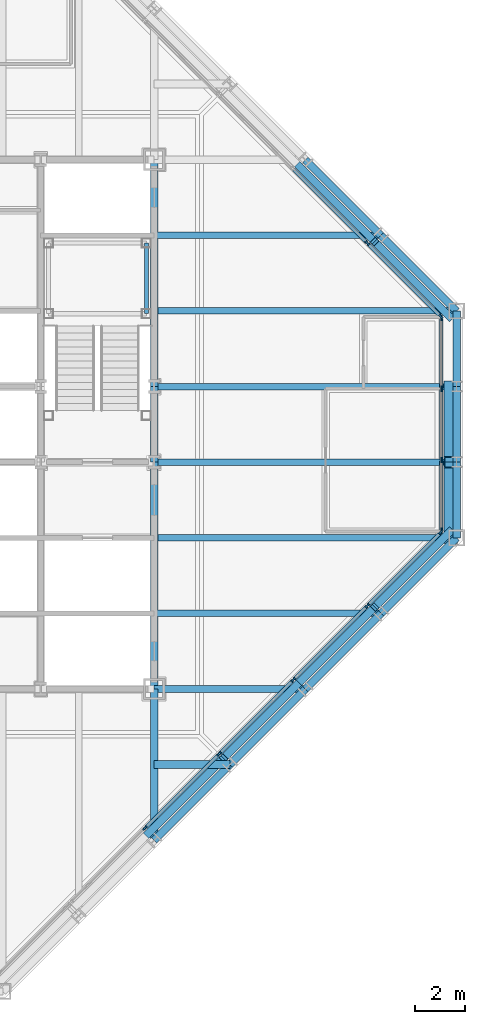
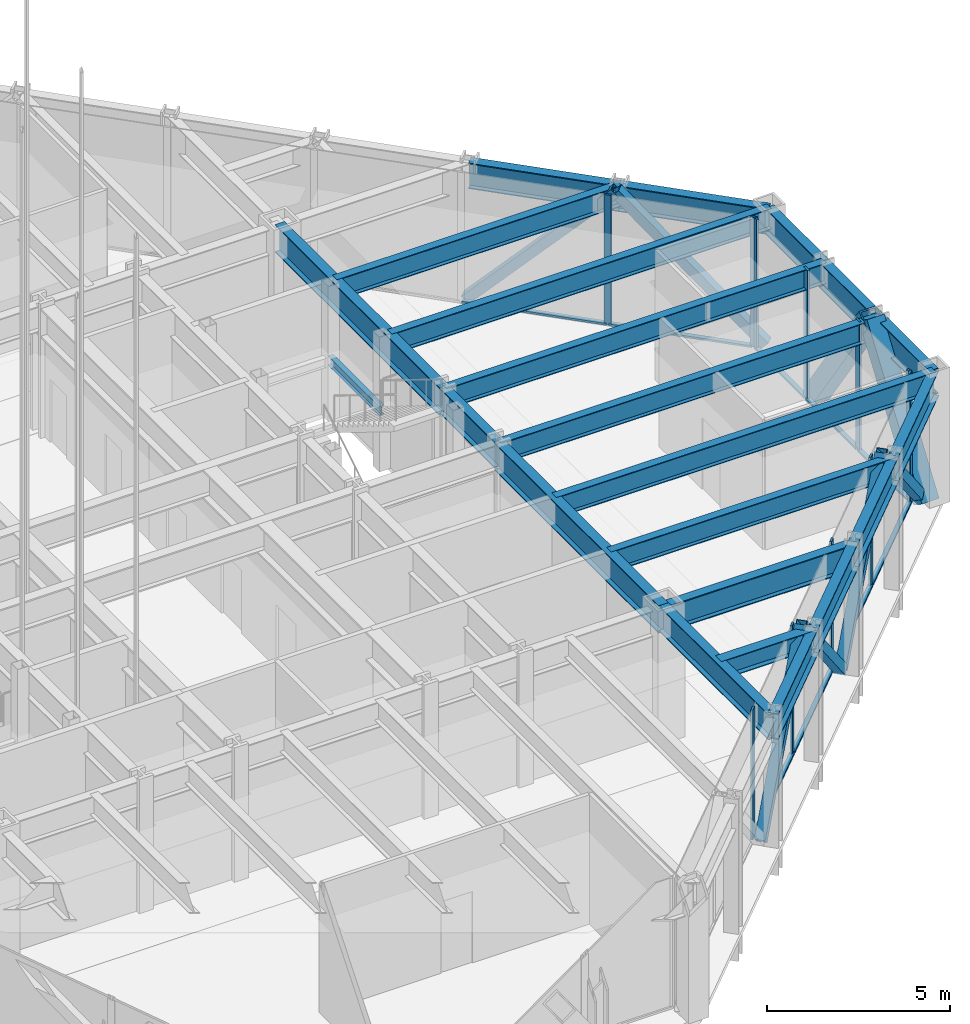
# One storey, part 7 of 24: 28 members, 22 beams, 3 elements without a shape of their own.
"""IFC4 building model written with IfcOpenShell, lengths in metres."""

from ifc_helpers import new_model, si_unit, direction, frame, origin, origin_2d, place, context, subcontext, project, spatial, rectangle, hollow_rectangle, i_section, extrude, material, layer, layer_set, material_profile, profile_set, type_object, element, aggregate, save


model = new_model("IFC4")

# Units and contexts
model_context = context("Model", 3, precision=1e-05, world=origin(), true_north=direction((0.0, 1.0)))
body_context = subcontext(model_context, "Body", "Model", "MODEL_VIEW")
ifc_project = project(units=[si_unit("LENGTHUNIT", "METRE"), si_unit("AREAUNIT", "SQUARE_METRE"), si_unit("VOLUMEUNIT", "CUBIC_METRE"), si_unit("PLANEANGLEUNIT", "RADIAN"), si_unit("MASSUNIT", "GRAM", prefix="KILO")], contexts=[model_context])

# Site, building, storey
site_placement = place(None, origin())
site = spatial("IfcSite", under=ifc_project, at=site_placement, CompositionType="ELEMENT")
building_placement = place(site_placement, origin())
building = spatial("IfcBuilding", under=site, at=building_placement, Name="Chuquiago Exchange Tower", CompositionType="ELEMENT")
storey_placement = place(building_placement, frame((0.0, 0.0, 257.699951171875)))
storey = spatial("IfcBuildingStorey", under=building, at=storey_placement, Name="L57", CompositionType="ELEMENT", Elevation=257.699951171875)

# Beams
ifc_material_1 = material(Name="Steel ASTM A992", Category="steel")
ifc_material_profile_1 = material_profile(ifc_material_1, i_section(OverallWidth=0.307373046875, OverallDepth=0.927001953125, WebThickness=0.01953125, FlangeThickness=0.031982421875, at=origin_2d()), Name="W36X194")
ifc_profile_set_1 = profile_set([ifc_material_profile_1], Name="Steel ASTM A992")
beam_type_1 = type_object("IfcBeamType", Name="B10 W36X194", PredefinedType="BEAM", material=ifc_profile_set_1)
for number, where, z_axis, x_axis, name in (
    (1, (33.0, 12.0, 3.87646484375), (0.0, 1.0, 0.0), (-1.0, 0.0, 0.0), "CB-L58-33_12-33_21"),
    (2, (33.0, 24.0, 3.87646484375), (0.0, 1.0, 0.0), (-1.0, 0.0, 0.0), "CB-L58-33_24-33_33"),
):
    element("IfcBeam", number, at=place(storey_placement, frame(where, z_axis=z_axis, x_axis=x_axis)), inside=storey, type_object=beam_type_1, Name=name, PredefinedType="BEAM", context=body_context, shape_type="SweptSolid", body=[
        extrude(i_section(OverallWidth=0.307373046875, OverallDepth=0.927001953125, WebThickness=0.01953125, FlangeThickness=0.031982421875, at=origin_2d()), origin(), (0.0, 0.0, 1.0), 9.0),
    ])
ifc_material_2 = material(Name="Steel ASTM A992", Category="steel")
ifc_material_profile_2 = material_profile(ifc_material_2, i_section(OverallWidth=0.2919921875, OverallDepth=0.8583984375, WebThickness=0.01708984375, FlangeThickness=0.031005859375, at=origin_2d()), Name="W33X169")
ifc_profile_set_2 = profile_set([ifc_material_profile_2], Name="Steel ASTM A992")
beam_type_2 = type_object("IfcBeamType", Name="B3 W33X169", PredefinedType="BEAM", material=ifc_profile_set_2)
beam_1_placement = place(storey_placement, frame((33.0, 21.0, 3.91064453125), z_axis=(0.0, 1.0, 0.0), x_axis=(-1.0, 0.0, 0.0)))
element("IfcBeam", 3, at=beam_1_placement, inside=storey, type_object=beam_type_2, Name="CB-L58-33_21-33_24", PredefinedType="BEAM", context=body_context, shape_type="SweptSolid", body=[
    extrude(i_section(OverallWidth=0.2919921875, OverallDepth=0.8583984375, WebThickness=0.01708984375, FlangeThickness=0.031005859375, at=origin_2d()), origin(), (0.0, 0.0, 1.0), 3.0),
])
ifc_material_3 = material(Name="Steel ASTM A992", Category="steel")
ifc_material_profile_3 = material_profile(ifc_material_3, i_section(OverallWidth=0.256591796875, OverallDepth=0.693359375, WebThickness=0.014404296875, FlangeThickness=0.023681640625, at=origin_2d()), Name="W27X114")
ifc_profile_set_3 = profile_set([ifc_material_profile_3], Name="Steel ASTM A992")
beam_type_3 = type_object("IfcBeamType", Name="B4 W27X114", PredefinedType="BEAM", material=ifc_profile_set_3)
beam_2_placement = place(storey_placement, frame((33.0, 15.0, 3.993408203125), z_axis=(1.0, 0.0, 0.0), x_axis=(0.0, 1.0, 0.0)))
element("IfcBeam", 4, at=beam_2_placement, inside=storey, type_object=beam_type_3, Name="FB-L58-infill-33_15-42_15-0", PredefinedType="BEAM", context=body_context, shape_type="SweptSolid", body=[
    extrude(i_section(OverallWidth=0.256591796875, OverallDepth=0.693359375, WebThickness=0.014404296875, FlangeThickness=0.023681640625, at=origin_2d()), origin(), (0.0, 0.0, 1.0), 9.0),
])
for number, where, z_axis, x_axis, name in (
    (5, (33.0, 18.0, 3.993408203125), (1.0, 0.0, 0.0), (0.0, 1.0, 0.0), "FB-L58-infill-33_18-45_18-0"),
    (6, (33.0, 21.0, 3.993408203125), (1.0, 0.0, 0.0), (0.0, 1.0, 0.0), "FB-L58-infill-33_21-45_21-0"),
    (7, (33.0, 24.0, 3.993408203125), (1.0, 0.0, 0.0), (0.0, 1.0, 0.0), "FB-L58-infill-33_24-45_24-0"),
    (8, (33.0, 27.0, 3.993408203125), (1.0, 0.0, 0.0), (0.0, 1.0, 0.0), "FB-L58-infill-33_27-45_27-0"),
):
    element("IfcBeam", number, at=place(storey_placement, frame(where, z_axis=z_axis, x_axis=x_axis)), inside=storey, type_object=beam_type_3, Name=name, PredefinedType="BEAM", context=body_context, shape_type="SweptSolid", body=[
        extrude(i_section(OverallWidth=0.256591796875, OverallDepth=0.693359375, WebThickness=0.014404296875, FlangeThickness=0.023681640625, at=origin_2d()), origin(), (0.0, 0.0, 1.0), 12.0),
    ])
beam_3_placement = place(storey_placement, frame((33.0, 30.0, 3.993408203125), z_axis=(1.0, 0.0, 0.0), x_axis=(0.0, 1.0, 0.0)))
element("IfcBeam", 9, at=beam_3_placement, inside=storey, type_object=beam_type_3, Name="FB-L58-infill-33_30-42_30-0", PredefinedType="BEAM", context=body_context, shape_type="SweptSolid", body=[
    extrude(i_section(OverallWidth=0.256591796875, OverallDepth=0.693359375, WebThickness=0.014404296875, FlangeThickness=0.023681640625, at=origin_2d()), origin(), (0.0, 0.0, 1.0), 9.0),
])
ifc_material_4 = material(Name="Steel ASTM A992", Category="steel")
ifc_material_profile_4 = material_profile(ifc_material_4, i_section(OverallWidth=0.3251953125, OverallDepth=0.6171875, WebThickness=0.013916015625, FlangeThickness=0.021484375, at=origin_2d()), Name="W24X117")
ifc_profile_set_4 = profile_set([ifc_material_profile_4], Name="Steel ASTM A992")
beam_type_4 = type_object("IfcBeamType", Name="B5 W24X117", PredefinedType="BEAM", material=ifc_profile_set_4)
beam_4_placement = place(storey_placement, frame((33.0, 9.0, 4.031494140625), z_axis=(1.0, 0.0, 0.0), x_axis=(0.0, 1.0, 0.0)))
element("IfcBeam", 10, at=beam_4_placement, inside=storey, type_object=beam_type_4, Name="FB-L58-corner-33_9-36_9-0", PredefinedType="BEAM", context=body_context, shape_type="SweptSolid", body=[
    extrude(i_section(OverallWidth=0.3251953125, OverallDepth=0.6171875, WebThickness=0.013916015625, FlangeThickness=0.021484375, at=origin_2d()), origin(), (0.0, 0.0, 1.0), 3.0),
])

# Curtain wall, members
ifc_material_5 = material(Name="Aluminium curtain wall system", Category="aluminium")
ifc_layer_1 = layer(ifc_material_5, 0.22509765625)
ifc_layer_set_1 = layer_set([ifc_layer_1], Name="CW2 office curtain wall")
curtain_wall_type_1 = type_object("IfcCurtainWallType", Name="CW2 office curtain wall", PredefinedType="NOTDEFINED", material=ifc_layer_set_1)
curtain_wall_1_placement = place(storey_placement, origin())
curtain_wall_1 = element("IfcCurtainWall", 11, at=curtain_wall_1_placement, inside=storey, type_object=curtain_wall_type_1, Name="CW2 curtain wall L57", PredefinedType="NOTDEFINED")
ifc_material_6 = material(Name="Aluminium mullion, pale anodised", Category="aluminium")
ifc_material_profile_5 = material_profile(ifc_material_6, rectangle(XDim=0.06494140625, YDim=0.22509765625, at=origin_2d()), Name="AL 65x225")
ifc_profile_set_5 = profile_set([ifc_material_profile_5], Name="Aluminium mullion, pale anodised")
member_type_1 = type_object("IfcMemberType", Name="CW2-M mullion 65x225", PredefinedType="MULLION", material=ifc_profile_set_5)
member_1_placement = place(storey_placement, frame((44.39990234375, 18.281005859375, 0.0), z_axis=(0.0, 0.0, 1.0), x_axis=(-1.0, 0.0, 0.0)))
member_1 = element("IfcMember", 12, at=member_1_placement, type_object=member_type_1, Name="CW2 mullion 1", PredefinedType="MULLION", context=body_context, shape_type="SweptSolid", body=[
    extrude(rectangle(XDim=0.06494140625, YDim=0.22509765625, at=origin_2d()), origin(), (0.0, 0.0, 1.0), 4.340087890625),
])
member_2_placement = place(storey_placement, frame((44.39990234375, 21.082763671875, 0.0), z_axis=(0.0, 0.0, 1.0), x_axis=(-1.0, 0.0, 0.0)))
member_2 = element("IfcMember", 13, at=member_2_placement, type_object=member_type_1, Name="CW2 mullion 2", PredefinedType="MULLION", context=body_context, shape_type="SweptSolid", body=[
    extrude(rectangle(XDim=0.06494140625, YDim=0.22509765625, at=origin_2d()), origin(), (0.0, 0.0, 1.0), 4.340087890625),
])
member_3_placement = place(storey_placement, frame((44.39990234375, 23.917236328125, 0.0), z_axis=(0.0, 0.0, 1.0), x_axis=(-1.0, 0.0, 0.0)))
member_3 = element("IfcMember", 14, at=member_3_placement, type_object=member_type_1, Name="CW2 mullion 3", PredefinedType="MULLION", context=body_context, shape_type="SweptSolid", body=[
    extrude(rectangle(XDim=0.06494140625, YDim=0.22509765625, at=origin_2d()), origin(), (0.0, 0.0, 1.0), 4.340087890625),
])
member_4_placement = place(storey_placement, frame((44.39990234375, 26.718994140625, 0.0), z_axis=(0.0, 0.0, 1.0), x_axis=(-1.0, 0.0, 0.0)))
member_4 = element("IfcMember", 15, at=member_4_placement, type_object=member_type_1, Name="CW2 mullion 4", PredefinedType="MULLION", context=body_context, shape_type="SweptSolid", body=[
    extrude(rectangle(XDim=0.06494140625, YDim=0.22509765625, at=origin_2d()), origin(), (0.0, 0.0, 1.0), 4.340087890625),
])
ifc_material_7 = material(Name="Aluminium transom, pale anodised", Category="aluminium")
ifc_material_profile_6 = material_profile(ifc_material_7, rectangle(XDim=0.139892578125, YDim=0.06494140625, at=origin_2d()), Name="AL 140x65")
ifc_profile_set_6 = profile_set([ifc_material_profile_6], Name="Aluminium transom, pale anodised")
member_type_2 = type_object("IfcMemberType", Name="CW2-T transom 65x140", PredefinedType="MULLION", material=ifc_profile_set_6)
member_5_placement = place(storey_placement, frame((44.39990234375, 18.3134765625, 0.032470703125), z_axis=(0.0, 1.0, 0.0), x_axis=(-1.0, 0.0, 0.0)))
member_5 = element("IfcMember", 16, at=member_5_placement, type_object=member_type_2, Name="CW2 transom 1.1", PredefinedType="MULLION", context=body_context, shape_type="SweptSolid", body=[
    extrude(rectangle(XDim=0.139892578125, YDim=0.06494140625, at=origin_2d()), origin(), (0.0, 0.0, 1.0), 2.73681640625),
])
member_6_placement = place(storey_placement, frame((44.39990234375, 21.115234375, 0.032470703125), z_axis=(0.0, 1.0, 0.0), x_axis=(-1.0, 0.0, 0.0)))
member_6 = element("IfcMember", 17, at=member_6_placement, type_object=member_type_2, Name="CW2 transom 2.1", PredefinedType="MULLION", context=body_context, shape_type="SweptSolid", body=[
    extrude(rectangle(XDim=0.139892578125, YDim=0.06494140625, at=origin_2d()), origin(), (0.0, 0.0, 1.0), 2.76953125),
])
member_7_placement = place(storey_placement, frame((44.39990234375, 23.94970703125, 0.032470703125), z_axis=(0.0, 1.0, 0.0), x_axis=(-1.0, 0.0, 0.0)))
member_7 = element("IfcMember", 18, at=member_7_placement, type_object=member_type_2, Name="CW2 transom 3.1", PredefinedType="MULLION", context=body_context, shape_type="SweptSolid", body=[
    extrude(rectangle(XDim=0.139892578125, YDim=0.06494140625, at=origin_2d()), origin(), (0.0, 0.0, 1.0), 2.73681640625),
])
aggregate(curtain_wall_1, [member_1, member_2, member_3, member_4, member_5, member_6, member_7])

ifc_material_8 = material(Name="Aluminium curtain wall system", Category="aluminium")
ifc_layer_2 = layer(ifc_material_8, 0.199951171875)
ifc_layer_set_2 = layer_set([ifc_layer_2], Name="CW3 facet curtain wall")
curtain_wall_type_2 = type_object("IfcCurtainWallType", Name="CW3 facet curtain wall", PredefinedType="NOTDEFINED", material=ifc_layer_set_2)
curtain_wall_2_placement = place(storey_placement, origin())
curtain_wall_2 = element("IfcCurtainWall", 19, at=curtain_wall_2_placement, inside=storey, type_object=curtain_wall_type_2, Name="CW3 curtain wall L57", PredefinedType="NOTDEFINED")
ifc_material_9 = material(Name="Aluminium mullion, pale anodised", Category="aluminium")
ifc_material_profile_7 = material_profile(ifc_material_9, rectangle(XDim=0.06494140625, YDim=0.199951171875, at=origin_2d()), Name="AL 65x200")
ifc_profile_set_7 = profile_set([ifc_material_profile_7], Name="Aluminium mullion, pale anodised")
member_type_3 = type_object("IfcMemberType", Name="CW3-M mullion 65x200", PredefinedType="MULLION", material=ifc_profile_set_7)
member_8_placement = place(storey_placement, frame((32.63427734375, 6.48291015625, 0.0), z_axis=(0.0, 0.0, 1.0), x_axis=(-0.707106781187, 0.707106781187, 0.0)))
member_8 = element("IfcMember", 20, at=member_8_placement, type_object=member_type_3, Name="CW3 mullion 3", PredefinedType="MULLION", context=body_context, shape_type="SweptSolid", body=[
    extrude(rectangle(XDim=0.06494140625, YDim=0.199951171875, at=origin_2d()), origin(), (0.0, 0.0, 1.0), 4.340087890625),
])
member_9_placement = place(storey_placement, frame((35.57568359375, 9.42431640625, 0.0), z_axis=(0.0, 0.0, 1.0), x_axis=(-0.707106781187, 0.707106781187, 0.0)))
member_9 = element("IfcMember", 21, at=member_9_placement, type_object=member_type_3, Name="CW3 mullion 4", PredefinedType="MULLION", context=body_context, shape_type="SweptSolid", body=[
    extrude(rectangle(XDim=0.06494140625, YDim=0.199951171875, at=origin_2d()), origin(), (0.0, 0.0, 1.0), 4.340087890625),
])
member_10_placement = place(storey_placement, frame((38.51708984375, 12.36572265625, 0.0), z_axis=(0.0, 0.0, 1.0), x_axis=(-0.707106781187, 0.707106781187, 0.0)))
member_10 = element("IfcMember", 22, at=member_10_placement, type_object=member_type_3, Name="CW3 mullion 5", PredefinedType="MULLION", context=body_context, shape_type="SweptSolid", body=[
    extrude(rectangle(XDim=0.06494140625, YDim=0.199951171875, at=origin_2d()), origin(), (0.0, 0.0, 1.0), 4.340087890625),
])
member_11_placement = place(storey_placement, frame((41.45849609375, 15.30712890625, 0.0), z_axis=(0.0, 0.0, 1.0), x_axis=(-0.707106781187, 0.707106781187, 0.0)))
member_11 = element("IfcMember", 23, at=member_11_placement, type_object=member_type_3, Name="CW3 mullion 6", PredefinedType="MULLION", context=body_context, shape_type="SweptSolid", body=[
    extrude(rectangle(XDim=0.06494140625, YDim=0.199951171875, at=origin_2d()), origin(), (0.0, 0.0, 1.0), 4.340087890625),
])
member_12_placement = place(storey_placement, frame((44.376953125, 18.2255859375, 0.0), z_axis=(0.0, 0.0, 1.0), x_axis=(-0.707106781187, 0.707106781187, 0.0)))
member_12 = element("IfcMember", 24, at=member_12_placement, type_object=member_type_3, Name="CW3 mullion 7", PredefinedType="MULLION", context=body_context, shape_type="SweptSolid", body=[
    extrude(rectangle(XDim=0.06494140625, YDim=0.199951171875, at=origin_2d()), origin(), (0.0, 0.0, 1.0), 4.340087890625),
])

curtain_wall_3_placement = place(storey_placement, origin())
curtain_wall_3 = element("IfcCurtainWall", 25, at=curtain_wall_3_placement, inside=storey, type_object=curtain_wall_type_2, Name="CW3 curtain wall L57", PredefinedType="NOTDEFINED")
member_13_placement = place(storey_placement, frame((44.376953125, 26.7744140625, 0.0), z_axis=(0.0, 0.0, 1.0), x_axis=(-0.707106781187, -0.707106781187, 0.0)))
member_13 = element("IfcMember", 26, at=member_13_placement, type_object=member_type_3, Name="CW3 mullion 1", PredefinedType="MULLION", context=body_context, shape_type="SweptSolid", body=[
    extrude(rectangle(XDim=0.06494140625, YDim=0.199951171875, at=origin_2d()), origin(), (0.0, 0.0, 1.0), 4.340087890625),
])
member_14_placement = place(storey_placement, frame((41.45849609375, 29.69287109375, 0.0), z_axis=(0.0, 0.0, 1.0), x_axis=(-0.707106781187, -0.707106781187, 0.0)))
member_14 = element("IfcMember", 27, at=member_14_placement, type_object=member_type_3, Name="CW3 mullion 2", PredefinedType="MULLION", context=body_context, shape_type="SweptSolid", body=[
    extrude(rectangle(XDim=0.06494140625, YDim=0.199951171875, at=origin_2d()), origin(), (0.0, 0.0, 1.0), 4.340087890625),
])

# Member
ifc_material_10 = material(Name="Aluminium transom, pale anodised", Category="aluminium")
ifc_material_profile_8 = material_profile(ifc_material_10, rectangle(XDim=0.139892578125, YDim=0.06494140625, at=origin_2d()), Name="AL 140x65")
ifc_profile_set_8 = profile_set([ifc_material_profile_8], Name="Aluminium transom, pale anodised")
member_type_4 = type_object("IfcMemberType", Name="CW3-T transom 65x140", PredefinedType="MULLION", material=ifc_profile_set_8)
member_15_placement = place(storey_placement, frame((32.6572265625, 6.505859375, 0.032470703125), z_axis=(0.707106781187, 0.707106781187, 0.0), x_axis=(-0.707106781187, 0.707106781187, 0.0)))
member_15 = element("IfcMember", 28, at=member_15_placement, type_object=member_type_4, Name="CW3 transom 3.1", PredefinedType="MULLION", context=body_context, shape_type="SweptSolid", body=[
    extrude(rectangle(XDim=0.139892578125, YDim=0.06494140625, at=origin_2d()), origin(), (0.0, 0.0, 1.0), 4.094970703125),
])

member_16_placement = place(storey_placement, frame((35.5986328125, 9.447265625, 0.032470703125), z_axis=(0.707106781187, 0.707106781187, 0.0), x_axis=(-0.707106781187, 0.707106781187, 0.0)))
member_16 = element("IfcMember", 29, at=member_16_placement, type_object=member_type_4, Name="CW3 transom 4.1", PredefinedType="MULLION", context=body_context, shape_type="SweptSolid", body=[
    extrude(rectangle(XDim=0.139892578125, YDim=0.06494140625, at=origin_2d()), origin(), (0.0, 0.0, 1.0), 4.094970703125),
])

member_17_placement = place(storey_placement, frame((38.5400390625, 12.388671875, 0.032470703125), z_axis=(0.707106781187, 0.707106781187, 0.0), x_axis=(-0.707106781187, 0.707106781187, 0.0)))
member_17 = element("IfcMember", 30, at=member_17_placement, type_object=member_type_4, Name="CW3 transom 5.1", PredefinedType="MULLION", context=body_context, shape_type="SweptSolid", body=[
    extrude(rectangle(XDim=0.139892578125, YDim=0.06494140625, at=origin_2d()), origin(), (0.0, 0.0, 1.0), 4.094970703125),
])

member_18_placement = place(storey_placement, frame((41.4814453125, 15.330078125, 0.032470703125), z_axis=(0.707106781187, 0.707106781187, 0.0), x_axis=(-0.707106781187, 0.707106781187, 0.0)))
member_18 = element("IfcMember", 31, at=member_18_placement, type_object=member_type_4, Name="CW3 transom 6.1", PredefinedType="MULLION", context=body_context, shape_type="SweptSolid", body=[
    extrude(rectangle(XDim=0.139892578125, YDim=0.06494140625, at=origin_2d()), origin(), (0.0, 0.0, 1.0), 4.0625),
])

aggregate(curtain_wall_2, [member_8, member_9, member_10, member_11, member_12, member_15, member_16, member_17, member_18])

member_19_placement = place(storey_placement, frame((44.35400390625, 26.79736328125, 0.032470703125), z_axis=(-0.707106781187, 0.707106781187, 0.0), x_axis=(-0.707106781187, -0.707106781187, 0.0)))
member_19 = element("IfcMember", 32, at=member_19_placement, type_object=member_type_4, Name="CW3 transom 1.1", PredefinedType="MULLION", context=body_context, shape_type="SweptSolid", body=[
    extrude(rectangle(XDim=0.139892578125, YDim=0.06494140625, at=origin_2d()), origin(), (0.0, 0.0, 1.0), 4.0625),
])

member_20_placement = place(storey_placement, frame((41.435546875, 29.7158203125, 0.032470703125), z_axis=(-0.707106781187, 0.707106781187, 0.0), x_axis=(-0.707106781187, -0.707106781187, 0.0)))
member_20 = element("IfcMember", 33, at=member_20_placement, type_object=member_type_4, Name="CW3 transom 2.1", PredefinedType="MULLION", context=body_context, shape_type="SweptSolid", body=[
    extrude(rectangle(XDim=0.139892578125, YDim=0.06494140625, at=origin_2d()), origin(), (0.0, 0.0, 1.0), 4.094970703125),
])

aggregate(curtain_wall_3, [member_13, member_14, member_19, member_20])

# Beams
ifc_material_11 = material(Name="Steel ASTM A992", Category="steel")
ifc_material_profile_9 = material_profile(ifc_material_11, i_section(OverallWidth=0.2919921875, OverallDepth=0.8583984375, WebThickness=0.01708984375, FlangeThickness=0.031005859375, at=origin_2d()), Name="W33X169")
ifc_profile_set_9 = profile_set([ifc_material_profile_9], Name="Steel ASTM A992")
beam_type_5 = type_object("IfcBeamType", Name="G2 W33X169", PredefinedType="BEAM", material=ifc_profile_set_9)
for number, where, z_axis, x_axis, name in (
    (34, (33.0, 12.0, 3.91064453125), (0.0, -1.0, 0.0), (1.0, 0.0, 0.0), "FB-L58-girder-33_12-33_6-0"),
    (35, (33.0, 12.0, 3.91064453125), (1.0, 0.0, 0.0), (0.0, 1.0, 0.0), "FB-L58-girder-33_12-39_12-0"),
):
    element("IfcBeam", number, at=place(storey_placement, frame(where, z_axis=z_axis, x_axis=x_axis)), inside=storey, type_object=beam_type_5, Name=name, PredefinedType="BEAM", context=body_context, shape_type="SweptSolid", body=[
        extrude(i_section(OverallWidth=0.2919921875, OverallDepth=0.8583984375, WebThickness=0.01708984375, FlangeThickness=0.031005859375, at=origin_2d()), origin(), (0.0, 0.0, 1.0), 6.0),
    ])

# Members
ifc_material_12 = material(Name="Steel ASTM A500 Grade C", Category="steel")
ifc_material_profile_10 = material_profile(ifc_material_12, hollow_rectangle(XDim=0.3046875, YDim=0.3046875, WallThickness=0.0146484375, at=origin_2d()), Name="HSS12X12X5/8")
ifc_profile_set_10 = profile_set([ifc_material_profile_10], Name="Steel ASTM A500 Grade C")
member_type_5 = type_object("IfcMemberType", Name="LB3 HSS12X12X5/8", PredefinedType="BRACE", material=ifc_profile_set_10)
for number, where, z_axis, x_axis, name in (
    (36, (32.750732421875, 6.249267578125, 0.0), (0.494291205278, 0.494291205278, 0.715089091491), (-0.707106781187, 0.707106781187, 0.0), "LB-L57-33_6-36_9"),
    (37, (38.750732421875, 12.249267578125, 0.0), (-0.494291205278, -0.494291205278, 0.715089091491), (0.707106781187, -0.707106781187, 0.0), "LB-L57-36_9-39_12"),
    (38, (38.750732421875, 12.249267578125, 0.0), (0.494291205278, 0.494291205278, 0.715089091491), (-0.707106781187, 0.707106781187, 0.0), "LB-L57-39_12-42_15"),
    (39, (44.750732421875, 18.249267578125, 0.0), (-0.494291205278, -0.494291205278, 0.715089091491), (0.707106781187, -0.707106781187, 0.0), "LB-L57-42_15-45_18"),
    (40, (44.750732421875, 26.750732421875, 0.0), (-0.494291205278, 0.494291205278, 0.715089091491), (-0.707106781187, -0.707106781187, 0.0), "LB-L57-45_27-42_30"),
    (41, (38.750732421875, 32.750732421875, 0.0), (0.494291205278, -0.494291205278, 0.715089091491), (0.707106781187, 0.707106781187, 0.0), "LB-L57-42_30-39_33"),
):
    element("IfcMember", number, at=place(storey_placement, frame(where, z_axis=z_axis, x_axis=x_axis)), inside=storey, type_object=member_type_5, Name=name, PredefinedType="BRACE", context=body_context, shape_type="SweptSolid", body=[
        extrude(hollow_rectangle(XDim=0.3046875, YDim=0.3046875, WallThickness=0.0146484375, at=origin_2d()), origin(), (0.0, 0.0, 1.0), 6.0693359375),
    ])

# Beam
ifc_material_13 = material(Name="Steel ASTM A992", Category="steel")
ifc_material_profile_11 = material_profile(ifc_material_13, i_section(OverallWidth=0.164794921875, OverallDepth=0.309814453125, WebThickness=0.005859375, FlangeThickness=0.009765625, at=origin_2d()), Name="W12X26")
ifc_profile_set_11 = profile_set([ifc_material_profile_11], Name="Steel ASTM A992")
beam_type_6 = type_object("IfcBeamType", Name="LS1 W12X26", PredefinedType="BEAM", material=ifc_profile_set_11)
beam_5_placement = place(storey_placement, frame((32.68994140625, 26.889892578125, 1.895263671875), z_axis=(0.0, 1.0, 0.0), x_axis=(-1.0, 0.0, 0.0)))
element("IfcBeam", 42, at=beam_5_placement, inside=storey, type_object=beam_type_6, Name="Stair ST2 L57 landing 1 stringer", PredefinedType="BEAM", context=body_context, shape_type="SweptSolid", body=[
    extrude(i_section(OverallWidth=0.164794921875, OverallDepth=0.309814453125, WebThickness=0.005859375, FlangeThickness=0.009765625, at=origin_2d()), origin(), (0.0, 0.0, 1.0), 2.800048828125),
])

# Members
ifc_material_14 = material(Name="Steel ASTM A572 Grade 50", Category="steel")
ifc_material_profile_12 = material_profile(ifc_material_14, hollow_rectangle(XDim=0.550048828125, YDim=0.550048828125, WallThickness=0.044921875, at=origin_2d()), Name="BOX550X550X45")
ifc_profile_set_12 = profile_set([ifc_material_profile_12], Name="Steel ASTM A572 Grade 50")
member_type_6 = type_object("IfcMemberType", Name="MB4 BOX550X550X45", PredefinedType="BRACE", material=ifc_profile_set_12)
for number, where, z_axis, x_axis, name in (
    (43, (44.77001953125, 18.0, 0.0), (0.0, 0.568610676405, 0.822606770382), (-1.0, 0.0, 0.0), "Mega diagonal L57 E face"),
    (44, (44.77001953125, 24.0, 0.0), (0.0, -0.568610676405, 0.822606770382), (1.0, 0.0, 0.0), "Mega diagonal L57 E face"),
):
    element("IfcMember", number, at=place(storey_placement, frame(where, z_axis=z_axis, x_axis=x_axis)), inside=storey, type_object=member_type_6, Name=name, PredefinedType="BRACE", context=body_context, shape_type="SweptSolid", body=[
        extrude(hollow_rectangle(XDim=0.550048828125, YDim=0.550048828125, WallThickness=0.044921875, at=origin_2d()), origin(), (0.0, 0.0, 1.0), 5.276123046875),
    ])

# Beams
ifc_material_15 = material(Name="Steel ASTM A992", Category="steel")
ifc_material_profile_13 = material_profile(ifc_material_15, i_section(OverallWidth=0.2919921875, OverallDepth=0.8583984375, WebThickness=0.01708984375, FlangeThickness=0.031005859375, at=origin_2d()), Name="W33X169")
ifc_profile_set_13 = profile_set([ifc_material_profile_13], Name="Steel ASTM A992")
beam_type_7 = type_object("IfcBeamType", Name="SP4 W33X169", PredefinedType="SPANDREL", material=ifc_profile_set_13)
for number, where, z_axis, x_axis, name in (
    (45, (33.0, 6.0, 3.91064453125), (0.707106781187, 0.707106781187, 0.0), (-0.707106781187, 0.707106781187, 0.0), "SPB-L58-33_6-36_9"),
    (46, (36.0, 9.0, 3.91064453125), (0.707106781187, 0.707106781187, 0.0), (-0.707106781187, 0.707106781187, 0.0), "SPB-L58-36_9-39_12"),
    (47, (39.0, 12.0, 3.91064453125), (0.707106781187, 0.707106781187, 0.0), (-0.707106781187, 0.707106781187, 0.0), "SPB-L58-39_12-42_15"),
    (48, (42.0, 15.0, 3.91064453125), (0.707106781187, 0.707106781187, 0.0), (-0.707106781187, 0.707106781187, 0.0), "SPB-L58-42_15-45_18"),
):
    element("IfcBeam", number, at=place(storey_placement, frame(where, z_axis=z_axis, x_axis=x_axis)), inside=storey, type_object=beam_type_7, Name=name, PredefinedType="SPANDREL", context=body_context, shape_type="SweptSolid", body=[
        extrude(i_section(OverallWidth=0.2919921875, OverallDepth=0.8583984375, WebThickness=0.01708984375, FlangeThickness=0.031005859375, at=origin_2d()), origin(), (0.0, 0.0, 1.0), 4.24267578125),
    ])
for number, where, z_axis, x_axis, name in (
    (49, (45.0, 18.0, 3.91064453125), (0.0, 1.0, 0.0), (-1.0, 0.0, 0.0), "SPB-L58-45_18-45_21"),
    (50, (45.0, 21.0, 3.91064453125), (0.0, 1.0, 0.0), (-1.0, 0.0, 0.0), "SPB-L58-45_21-45_24"),
    (51, (45.0, 24.0, 3.91064453125), (0.0, 1.0, 0.0), (-1.0, 0.0, 0.0), "SPB-L58-45_24-45_27"),
):
    element("IfcBeam", number, at=place(storey_placement, frame(where, z_axis=z_axis, x_axis=x_axis)), inside=storey, type_object=beam_type_7, Name=name, PredefinedType="SPANDREL", context=body_context, shape_type="SweptSolid", body=[
        extrude(i_section(OverallWidth=0.2919921875, OverallDepth=0.8583984375, WebThickness=0.01708984375, FlangeThickness=0.031005859375, at=origin_2d()), origin(), (0.0, 0.0, 1.0), 3.0),
    ])
for number, where, z_axis, x_axis, name in (
    (52, (45.0, 27.0, 3.91064453125), (-0.707106781187, 0.707106781187, 0.0), (-0.707106781187, -0.707106781187, 0.0), "SPB-L58-45_27-42_30"),
    (53, (42.0, 30.0, 3.91064453125), (-0.707106781187, 0.707106781187, 0.0), (-0.707106781187, -0.707106781187, 0.0), "SPB-L58-42_30-39_33"),
):
    element("IfcBeam", number, at=place(storey_placement, frame(where, z_axis=z_axis, x_axis=x_axis)), inside=storey, type_object=beam_type_7, Name=name, PredefinedType="SPANDREL", context=body_context, shape_type="SweptSolid", body=[
        extrude(i_section(OverallWidth=0.2919921875, OverallDepth=0.8583984375, WebThickness=0.01708984375, FlangeThickness=0.031005859375, at=origin_2d()), origin(), (0.0, 0.0, 1.0), 4.24267578125),
    ])

save(model, "model.ifc")
